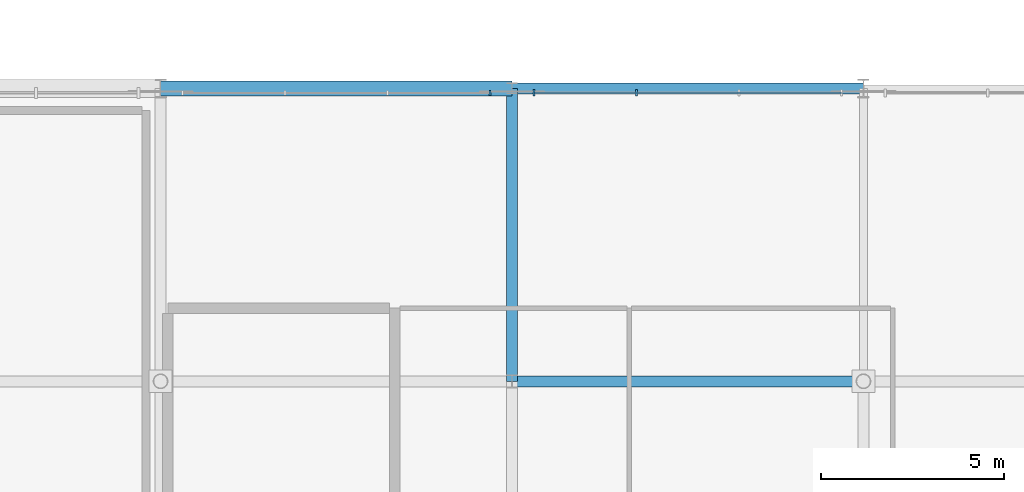
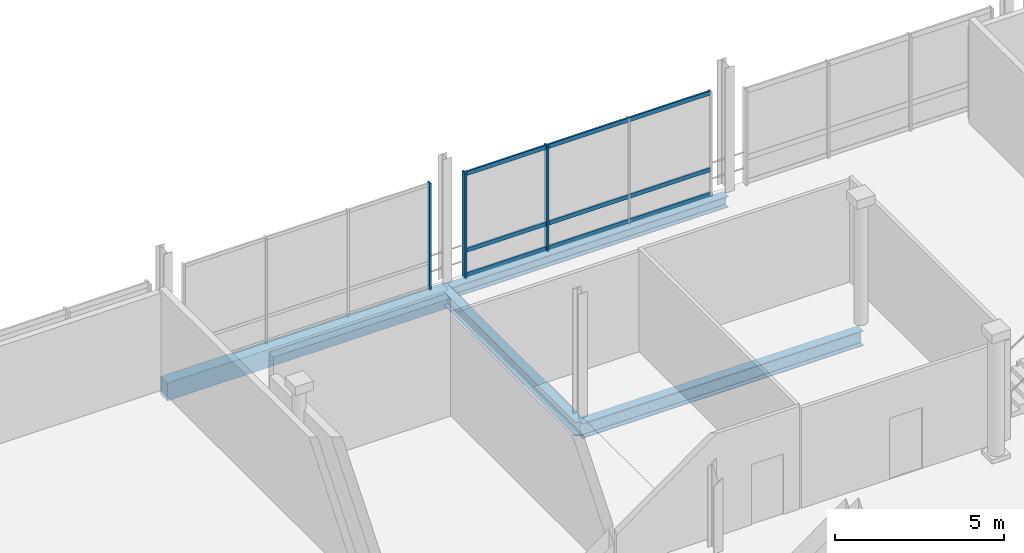
# One storey, part 14 of 36: 6 members, 4 beams, 2 elements without a shape of their own.
"""IFC4 building model written with IfcOpenShell, lengths in metres."""

from ifc_helpers import new_model, si_unit, direction, frame, origin, origin_2d, place, context, subcontext, project, spatial, rectangle, i_section, extrude, material, material_profile, profile_set, type_object, element, aggregate, save


model = new_model("IFC4")

# Units and contexts
model_context = context("Model", 3, precision=1e-05, world=origin(), true_north=direction((0.0, 1.0)))
body_context = subcontext(model_context, "Body", "Model", "MODEL_VIEW")
ifc_project = project(units=[si_unit("LENGTHUNIT", "METRE"), si_unit("AREAUNIT", "SQUARE_METRE"), si_unit("VOLUMEUNIT", "CUBIC_METRE"), si_unit("PLANEANGLEUNIT", "RADIAN"), si_unit("MASSUNIT", "GRAM", prefix="KILO")], contexts=[model_context])

# Site, building, storey
site_placement = place(None, origin())
site = spatial("IfcSite", under=ifc_project, at=site_placement, CompositionType="ELEMENT")
building_placement = place(site_placement, origin())
building = spatial("IfcBuilding", under=site, at=building_placement, Name="Danafjord Basin Convention Centre", CompositionType="ELEMENT")
storey_placement = place(building_placement, frame((0.0, 0.0, 20.39990234375)))
storey = spatial("IfcBuildingStorey", under=building, at=storey_placement, Name="L04", CompositionType="ELEMENT", Elevation=20.39990234375)

# Beams
ifc_material_1 = material(Name="Steel S355", Category="steel")
ifc_material_profile_1 = material_profile(ifc_material_1, i_section(OverallWidth=0.300048828125, OverallDepth=0.5, WebThickness=0.014404296875, FlangeThickness=0.028076171875, FilletRadius=0.027099609375, at=origin_2d()), Name="HEB 500")
ifc_profile_set_1 = profile_set([ifc_material_profile_1], Name="Steel S355")
beam_type_1 = type_object("IfcBeamType", Name="BEAM-BM-HEB500", PredefinedType="BEAM", material=ifc_profile_set_1)
beam_1_placement = place(storey_placement, frame((57.60009765625, 32.0, -0.473876953125), z_axis=(0.0, 1.0, 0.0), x_axis=(-1.0, 0.0, 0.0)))
element("IfcBeam", 1, at=beam_1_placement, inside=storey, type_object=beam_type_1, Name="L04 transverse girder BM-HEB500", PredefinedType="BEAM", context=body_context, shape_type="SweptSolid", body=[
    extrude(i_section(OverallWidth=0.300048828125, OverallDepth=0.5, WebThickness=0.014404296875, FlangeThickness=0.028076171875, FilletRadius=0.027099609375, at=origin_2d()), origin(), (0.0, 0.0, 1.0), 8.0),
])
ifc_material_profile_2 = material_profile(ifc_material_1, i_section(OverallWidth=0.300048828125, OverallDepth=0.550048828125, WebThickness=0.014892578125, FlangeThickness=0.029052734375, FilletRadius=0.027099609375, at=origin_2d()), Name="HEB 550")
ifc_profile_set_2 = profile_set([ifc_material_profile_2], Name="Steel S355")
beam_type_2 = type_object("IfcBeamType", Name="BEAM-BM-HEB550", PredefinedType="BEAM", material=ifc_profile_set_2)
beam_2_placement = place(storey_placement, frame((57.60009765625, 32.0, -0.4990234375), z_axis=(1.0, 0.0, 0.0), x_axis=(0.0, 1.0, 0.0)))
element("IfcBeam", 2, at=beam_2_placement, inside=storey, type_object=beam_type_2, Name="L04 girder BM-HEB550", PredefinedType="BEAM", context=body_context, shape_type="SweptSolid", body=[
    extrude(i_section(OverallWidth=0.300048828125, OverallDepth=0.550048828125, WebThickness=0.014892578125, FlangeThickness=0.029052734375, FilletRadius=0.027099609375, at=origin_2d()), origin(), (0.0, 0.0, 1.0), 9.599853515625),
])
ifc_material_profile_3 = material_profile(ifc_material_1, i_section(OverallWidth=0.300048828125, OverallDepth=0.39990234375, WebThickness=0.013427734375, FlangeThickness=0.02392578125, FilletRadius=0.027099609375, at=origin_2d()), Name="HEB 400")
ifc_profile_set_3 = profile_set([ifc_material_profile_3], Name="Steel S355")
beam_type_3 = type_object("IfcBeamType", Name="BEAM-SP-HEB400", PredefinedType="SPANDREL", material=ifc_profile_set_3)
beam_3_placement = place(storey_placement, frame((57.60009765625, 40.0, -0.423828125), z_axis=(1.0, 0.0, 0.0), x_axis=(0.0, 1.0, 0.0)))
element("IfcBeam", 3, at=beam_3_placement, inside=storey, type_object=beam_type_3, Name="L04 girder SP-HEB400", PredefinedType="SPANDREL", context=body_context, shape_type="SweptSolid", body=[
    extrude(i_section(OverallWidth=0.300048828125, OverallDepth=0.39990234375, WebThickness=0.013427734375, FlangeThickness=0.02392578125, FilletRadius=0.027099609375, at=origin_2d()), origin(), (0.0, 0.0, 1.0), 9.599853515625),
])
ifc_material_2 = material(Name="Precast concrete C45/55", Category="concrete")
ifc_material_profile_4 = material_profile(ifc_material_2, rectangle(XDim=0.39990234375, YDim=0.64990234375, at=origin_2d()), Name="PCB 400x650")
ifc_profile_set_4 = profile_set([ifc_material_profile_4], Name="Precast concrete C45/55")
beam_type_4 = type_object("IfcBeamType", Name="BEAM-SP-PCB650", PredefinedType="SPANDREL", material=ifc_profile_set_4)
beam_4_placement = place(storey_placement, frame((48.0, 40.0, -0.548828125), z_axis=(1.0, 0.0, 0.0), x_axis=(0.0, 1.0, 0.0)))
element("IfcBeam", 4, at=beam_4_placement, inside=storey, type_object=beam_type_4, Name="L04 girder SP-PCB650", PredefinedType="SPANDREL", context=body_context, shape_type="SweptSolid", body=[
    extrude(rectangle(XDim=0.39990234375, YDim=0.64990234375, at=origin_2d()), origin(), (0.0, 0.0, 1.0), 9.60009765625),
])

# Curtain wall, member
ifc_material_3 = material(Name="Anodised aluminium and triple glazing", Category="aluminium")
curtain_wall_type = type_object("IfcCurtainWallType", Name="CW-CW-TERR", PredefinedType="NOTDEFINED", material=ifc_material_3)
curtain_wall_1_placement = place(storey_placement, origin())
curtain_wall_1 = element("IfcCurtainWall", 5, at=curtain_wall_1_placement, inside=storey, type_object=curtain_wall_type, Name="L04 CW-TERR unitised curtain wall bay 90", PredefinedType="NOTDEFINED")
ifc_material_4 = material(Name="Anodised aluminium EN AW-6060", Category="aluminium")
ifc_material_profile_5 = material_profile(ifc_material_4, rectangle(XDim=0.06005859375, YDim=0.139892578125, at=origin_2d()), Name="MULL 60x140")
ifc_profile_set_5 = profile_set([ifc_material_profile_5], Name="Anodised aluminium EN AW-6060")
member_type_1 = type_object("IfcMemberType", Name="MEM-ML-140", PredefinedType="MULLION", material=ifc_profile_set_5)
member_1_placement = place(storey_placement, frame((57.0, 39.8798828125, -0.02490234375), z_axis=(0.0, 0.0, 1.0), x_axis=(-1.0, 0.0, 0.0)))
member_1 = element("IfcMember", 6, at=member_1_placement, type_object=member_type_1, Name="CW-L04-090 mullion 1", PredefinedType="MULLION", context=body_context, shape_type="SweptSolid", body=[
    extrude(rectangle(XDim=0.06005859375, YDim=0.139892578125, at=origin_2d()), origin(), (0.0, 0.0, 1.0), 3.864990234375),
])
aggregate(curtain_wall_1, [member_1])

# Curtain wall, members
curtain_wall_2_placement = place(storey_placement, origin())
curtain_wall_2 = element("IfcCurtainWall", 7, at=curtain_wall_2_placement, inside=storey, type_object=curtain_wall_type, Name="L04 CW-TERR unitised curtain wall bay 91", PredefinedType="NOTDEFINED")
ifc_material_profile_6 = material_profile(ifc_material_4, rectangle(XDim=0.06005859375, YDim=0.179931640625, at=origin_2d()), Name="MULL 60x180")
ifc_profile_set_6 = profile_set([ifc_material_profile_6], Name="Anodised aluminium EN AW-6060")
member_type_2 = type_object("IfcMemberType", Name="MEM-ML-180", PredefinedType="MULLION", material=ifc_profile_set_6)
member_2_placement = place(storey_placement, frame((61.0, 39.8798828125, -0.02490234375), z_axis=(0.0, 0.0, 1.0), x_axis=(-1.0, 0.0, 0.0)))
member_2 = element("IfcMember", 8, at=member_2_placement, type_object=member_type_2, Name="CW-L04-091 mullion 3", PredefinedType="MULLION", context=body_context, shape_type="SweptSolid", body=[
    extrude(rectangle(XDim=0.06005859375, YDim=0.179931640625, at=origin_2d()), origin(), (0.0, 0.0, 1.0), 3.81494140625),
])
member_3_placement = place(storey_placement, frame((58.199951171875, 39.8798828125, -0.02490234375), z_axis=(0.0, 0.0, 1.0), x_axis=(-1.0, 0.0, 0.0)))
member_3 = element("IfcMember", 9, at=member_3_placement, type_object=member_type_2, Name="CW-L04-091 mullion 4", PredefinedType="MULLION", context=body_context, shape_type="SweptSolid", body=[
    extrude(rectangle(XDim=0.06005859375, YDim=0.179931640625, at=origin_2d()), origin(), (0.0, 0.0, 1.0), 3.81494140625),
])
ifc_material_profile_7 = material_profile(ifc_material_4, rectangle(XDim=0.06005859375, YDim=0.14990234375, at=origin_2d()), Name="TRAN 60x150")
ifc_profile_set_7 = profile_set([ifc_material_profile_7], Name="Anodised aluminium EN AW-6060")
member_type_3 = type_object("IfcMemberType", Name="MEM-TR-150", PredefinedType="USERDEFINED", material=ifc_profile_set_7)
member_4_placement = place(storey_placement, frame((66.60009765625, 39.8798828125, 0.06005859375), z_axis=(-1.0, 0.0, 0.0), x_axis=(0.0, -1.0, 0.0)))
member_4 = element("IfcMember", 10, at=member_4_placement, type_object=member_type_3, Name="CW-L04-091 transom 1", ObjectType="TRANSOM", PredefinedType="USERDEFINED", context=body_context, shape_type="SweptSolid", body=[
    extrude(rectangle(XDim=0.06005859375, YDim=0.14990234375, at=origin_2d()), origin(), (0.0, 0.0, 1.0), 8.400146484375),
])
member_5_placement = place(storey_placement, frame((66.60009765625, 39.8798828125, 0.9501953125), z_axis=(-1.0, 0.0, 0.0), x_axis=(0.0, -1.0, 0.0)))
member_5 = element("IfcMember", 11, at=member_5_placement, type_object=member_type_3, Name="CW-L04-091 transom 2", ObjectType="TRANSOM", PredefinedType="USERDEFINED", context=body_context, shape_type="SweptSolid", body=[
    extrude(rectangle(XDim=0.06005859375, YDim=0.14990234375, at=origin_2d()), origin(), (0.0, 0.0, 1.0), 8.400146484375),
])
member_6_placement = place(storey_placement, frame((66.60009765625, 39.8798828125, 3.72021484375), z_axis=(-1.0, 0.0, 0.0), x_axis=(0.0, -1.0, 0.0)))
member_6 = element("IfcMember", 12, at=member_6_placement, type_object=member_type_3, Name="CW-L04-091 transom 3", ObjectType="TRANSOM", PredefinedType="USERDEFINED", context=body_context, shape_type="SweptSolid", body=[
    extrude(rectangle(XDim=0.06005859375, YDim=0.14990234375, at=origin_2d()), origin(), (0.0, 0.0, 1.0), 8.400146484375),
])
aggregate(curtain_wall_2, [member_2, member_3, member_4, member_5, member_6])

save(model, "model.ifc")
